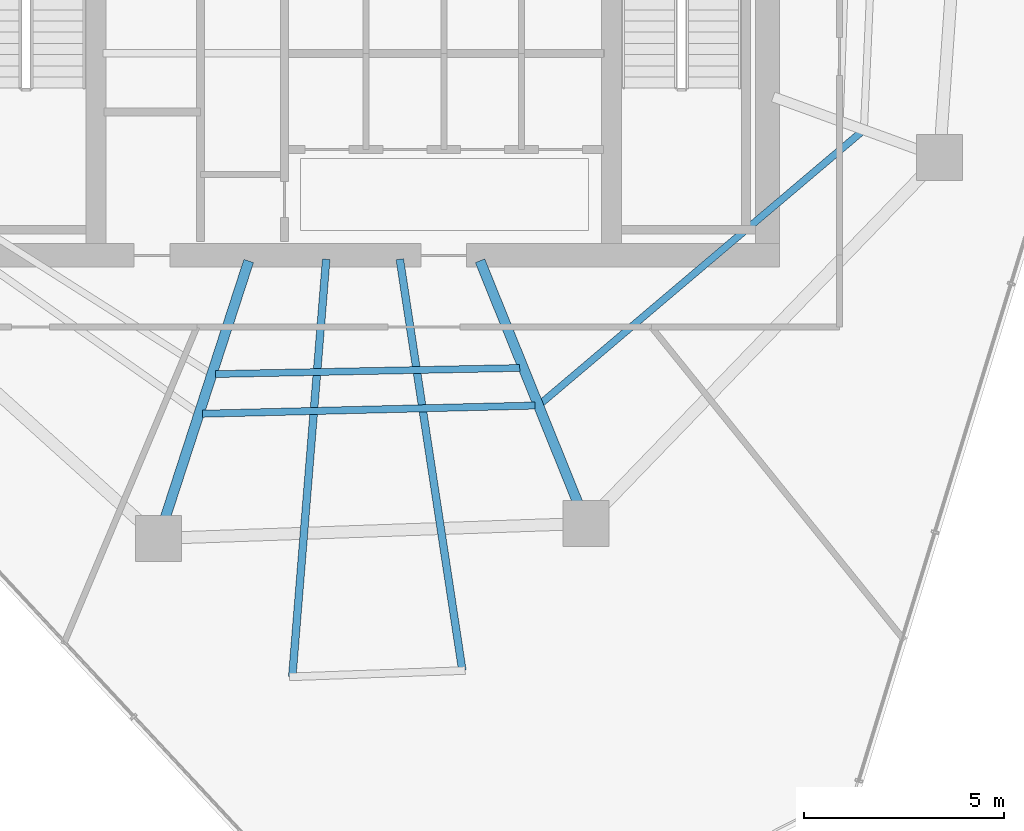
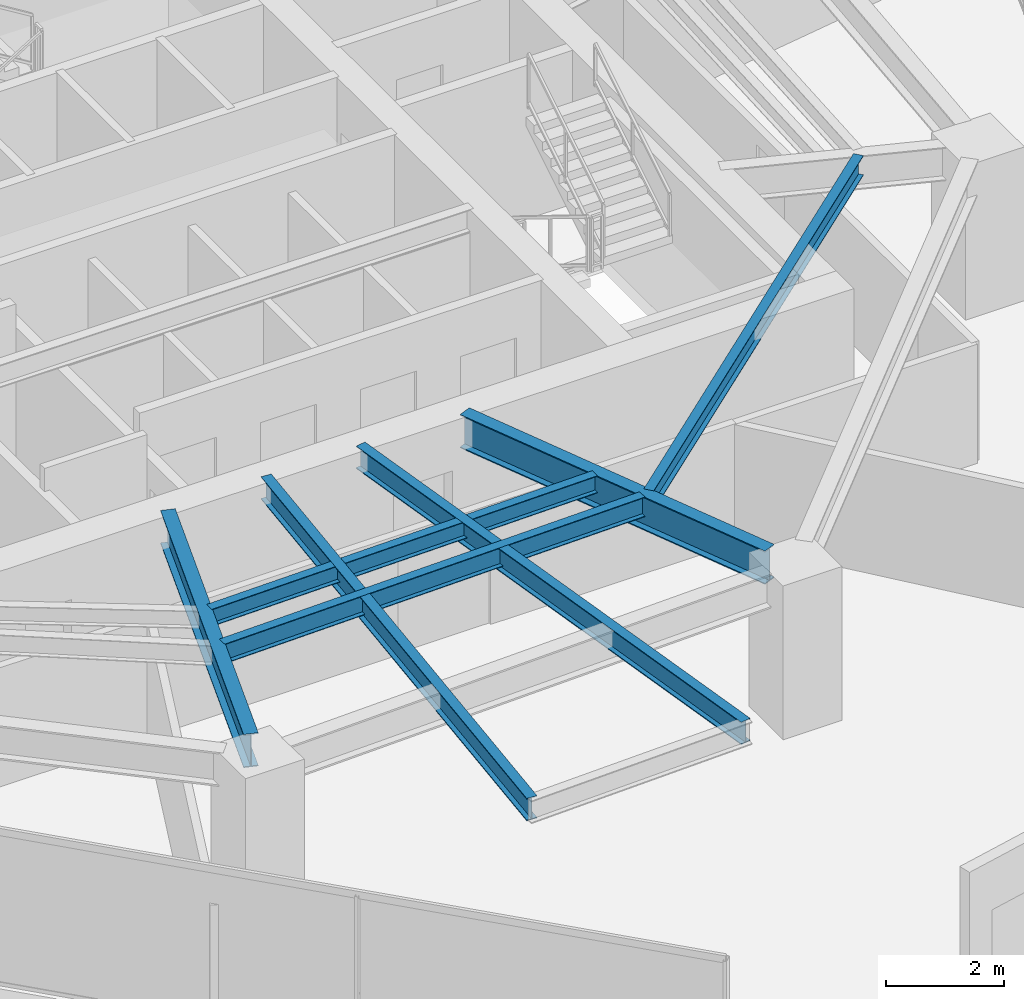
# One storey, part 4 of 23: 7 beams.
"""IFC4 building model written with IfcOpenShell, lengths in metres."""

from ifc_helpers import new_model, si_unit, direction, frame, origin, origin_2d, place, context, subcontext, project, spatial, i_section, extrude, material, material_profile, profile_set, type_object, element, save


model = new_model("IFC4")

# Units and contexts
model_context = context("Model", 3, precision=1e-05, world=origin(), true_north=direction((0.0, 1.0)))
body_context = subcontext(model_context, "Body", "Model", "MODEL_VIEW")
ifc_project = project(units=[si_unit("LENGTHUNIT", "METRE"), si_unit("AREAUNIT", "SQUARE_METRE"), si_unit("VOLUMEUNIT", "CUBIC_METRE"), si_unit("PLANEANGLEUNIT", "RADIAN"), si_unit("MASSUNIT", "GRAM", prefix="KILO")], contexts=[model_context])

# Site, building, storey
site_placement = place(None, origin())
site = spatial("IfcSite", under=ifc_project, at=site_placement, CompositionType="ELEMENT")
building_placement = place(site_placement, origin())
building = spatial("IfcBuilding", under=site, at=building_placement, Name="Qarnah Convention Tower", CompositionType="ELEMENT")
storey_placement = place(building_placement, frame((0.0, 0.0, 114.300048828125)))
storey = spatial("IfcBuildingStorey", under=building, at=storey_placement, Name="L30", CompositionType="ELEMENT", Elevation=114.300048828125)

# Beams
ifc_material = material(Name="Structural steel S355JR", Category="steel")
ifc_material_profile_1 = material_profile(ifc_material, i_section(OverallWidth=0.19189453125, OverallDepth=0.464111328125, WebThickness=0.010986328125, FlangeThickness=0.01806640625, at=origin_2d()), Name="W460X89")
ifc_profile_set_1 = profile_set([ifc_material_profile_1], Name="Structural steel S355JR")
beam_type_1 = type_object("IfcBeamType", Name="BM-CANT-W460A", PredefinedType="BEAM", material=ifc_profile_set_1)
beam_1_placement = place(storey_placement, frame((38.40087890625, 18.5009765625, 2.93798828125), z_axis=(0.150335373551, -0.988635056762, 0.0), x_axis=(0.988635056762, 0.150335373551, 0.0)))
element("IfcBeam", 1, at=beam_1_placement, inside=storey, type_object=beam_type_1, Name="L30 beam BM-L30-CNT-03-1", PredefinedType="BEAM", context=body_context, shape_type="SweptSolid", body=[
    extrude(i_section(OverallWidth=0.19189453125, OverallDepth=0.464111328125, WebThickness=0.010986328125, FlangeThickness=0.01806640625, at=origin_2d()), origin(), (0.0, 0.0, 1.0), 10.411376953125),
])
beam_2_placement = place(storey_placement, frame((36.55908203125, 18.5, 2.93798828125), z_axis=(-0.081026671921, -0.996711933528, 0.0), x_axis=(0.996711933528, -0.081026671921, 0.0)))
element("IfcBeam", 2, at=beam_2_placement, inside=storey, type_object=beam_type_1, Name="L30 beam BM-L30-CNT-03-2", PredefinedType="BEAM", context=body_context, shape_type="SweptSolid", body=[
    extrude(i_section(OverallWidth=0.19189453125, OverallDepth=0.464111328125, WebThickness=0.010986328125, FlangeThickness=0.01806640625, at=origin_2d()), origin(), (0.0, 0.0, 1.0), 10.4794921875),
])
ifc_material_profile_2 = material_profile(ifc_material, i_section(OverallWidth=0.172119140625, OverallDepth=0.35595703125, WebThickness=0.007080078125, FlangeThickness=0.011962890625, at=origin_2d()), Name="W360X51")
ifc_profile_set_2 = profile_set([ifc_material_profile_2], Name="Structural steel S355JR")
beam_type_2 = type_object("IfcBeamType", Name="BM-JST-W360", PredefinedType="JOIST", material=ifc_profile_set_2)
beam_3_placement = place(storey_placement, frame((33.7890625, 15.626953125, 2.991943359375), z_axis=(0.999797848543, 0.020106268877, 0.0), x_axis=(-0.020106268877, 0.999797848543, 0.0)))
element("IfcBeam", 3, at=beam_3_placement, inside=storey, type_object=beam_type_2, Name="L30 joist BM-L30-IJST-07", PredefinedType="JOIST", context=body_context, shape_type="SweptSolid", body=[
    extrude(i_section(OverallWidth=0.172119140625, OverallDepth=0.35595703125, WebThickness=0.007080078125, FlangeThickness=0.011962890625, at=origin_2d()), origin(), (0.0, 0.0, 1.0), 7.61328125),
])
ifc_material_profile_3 = material_profile(ifc_material, i_section(OverallWidth=0.177978515625, OverallDepth=0.407958984375, WebThickness=0.008056640625, FlangeThickness=0.012939453125, at=origin_2d()), Name="W410X60")
ifc_profile_set_3 = profile_set([ifc_material_profile_3], Name="Structural steel S355JR")
beam_type_3 = type_object("IfcBeamType", Name="BM-JST-W410", PredefinedType="JOIST", material=ifc_profile_set_3)
beam_4_placement = place(storey_placement, frame((33.467041015625, 14.635009765625, 2.966064453125), z_axis=(0.999695844153, 0.02466210012, 0.0), x_axis=(-0.02466210012, 0.999695844153, 0.0)))
element("IfcBeam", 4, at=beam_4_placement, inside=storey, type_object=beam_type_3, Name="L30 joist BM-L30-SJST-07", PredefinedType="JOIST", context=body_context, shape_type="SweptSolid", body=[
    extrude(i_section(OverallWidth=0.177978515625, OverallDepth=0.407958984375, WebThickness=0.008056640625, FlangeThickness=0.012939453125, at=origin_2d()), origin(), (0.0, 0.0, 1.0), 8.3154296875),
])
beam_5_placement = place(storey_placement, frame((41.93896484375, 14.89990234375, 2.966064453125), z_axis=(0.763086867081, 0.646295933214, 0.0), x_axis=(-0.646295933214, 0.763086867081, 0.0)))
element("IfcBeam", 5, at=beam_5_placement, inside=storey, type_object=beam_type_3, Name="L30 joist BM-L30-SJST-08", PredefinedType="JOIST", context=body_context, shape_type="SweptSolid", body=[
    extrude(i_section(OverallWidth=0.177978515625, OverallDepth=0.407958984375, WebThickness=0.008056640625, FlangeThickness=0.012939453125, at=origin_2d()), origin(), (0.0, 0.0, 1.0), 10.487548828125),
])
ifc_material_profile_4 = material_profile(ifc_material, i_section(OverallWidth=0.25390625, OverallDepth=0.68798828125, WebThickness=0.012939453125, FlangeThickness=0.02099609375, at=origin_2d()), Name="W690X152")
ifc_profile_set_4 = profile_set([ifc_material_profile_4], Name="Structural steel S355JR")
beam_type_4 = type_object("IfcBeamType", Name="BM-RAD-W690", PredefinedType="BEAM", material=ifc_profile_set_4)
beam_6_placement = place(storey_placement, frame((34.6201171875, 18.45703125, 2.825927734375), z_axis=(-0.30908279771, -0.951035132979, 0.0), x_axis=(0.951035132979, -0.30908279771, 0.0)))
element("IfcBeam", 6, at=beam_6_placement, inside=storey, type_object=beam_type_4, Name="L30 beam BM-L30-RAD-07", PredefinedType="BEAM", context=body_context, shape_type="SweptSolid", body=[
    extrude(i_section(OverallWidth=0.25390625, OverallDepth=0.68798828125, WebThickness=0.012939453125, FlangeThickness=0.02099609375, at=origin_2d()), origin(), (0.0, 0.0, 1.0), 6.7431640625),
])
beam_7_placement = place(storey_placement, frame((40.407958984375, 18.4609375, 2.825927734375), z_axis=(0.374642886347, -0.927169190445, 0.0), x_axis=(0.927169190445, 0.374642886347, 0.0)))
element("IfcBeam", 7, at=beam_7_placement, inside=storey, type_object=beam_type_4, Name="L30 beam BM-L30-RAD-08", PredefinedType="BEAM", context=body_context, shape_type="SweptSolid", body=[
    extrude(i_section(OverallWidth=0.25390625, OverallDepth=0.68798828125, WebThickness=0.012939453125, FlangeThickness=0.02099609375, at=origin_2d()), origin(), (0.0, 0.0, 1.0), 6.531494140625),
])

save(model, "model.ifc")
